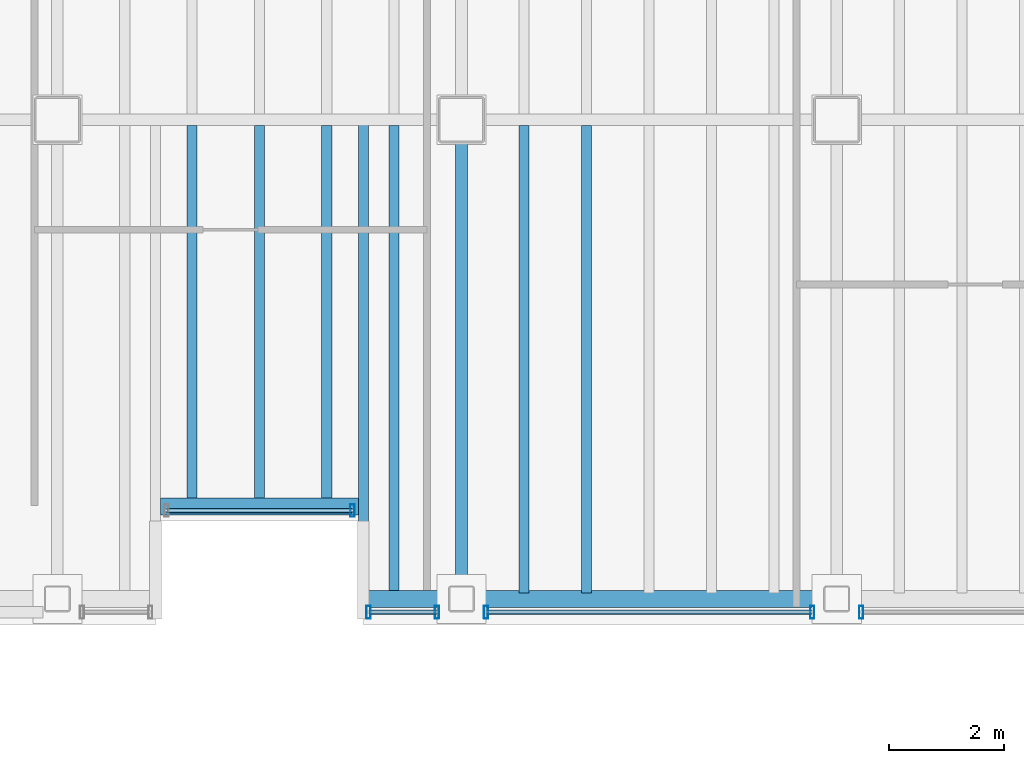
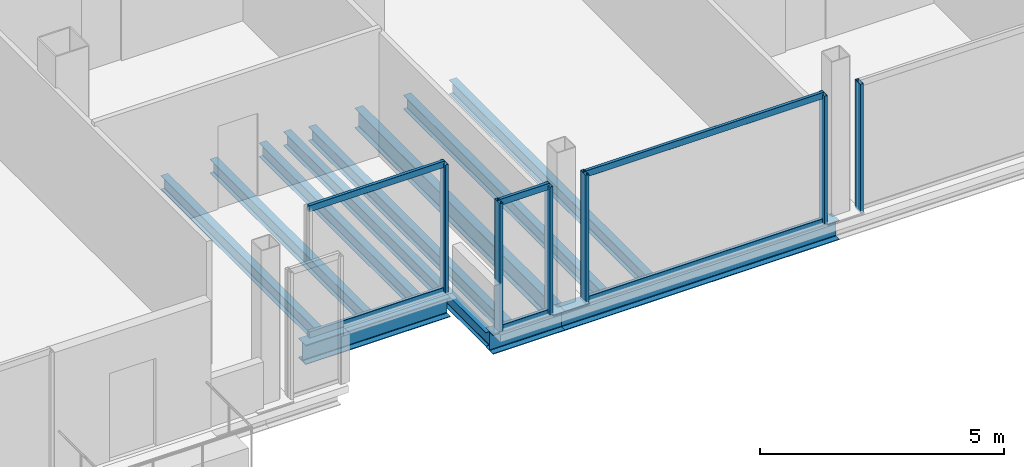
# One storey, part 4 of 15: 12 members, 11 beams, 4 elements without a shape of their own.
"""IFC4 building model written with IfcOpenShell, lengths in metres."""

from ifc_helpers import new_model, si_unit, direction, frame, origin, origin_2d, place, context, subcontext, project, spatial, hollow_rectangle, i_section, extrude, material, material_profile, profile_set, type_object, element, aggregate, save


model = new_model("IFC4")

# Units and contexts
model_context = context("Model", 3, precision=1e-05, world=origin(), true_north=direction((0.0, 1.0)))
body_context = subcontext(model_context, "Body", "Model", "MODEL_VIEW")
ifc_project = project(units=[si_unit("LENGTHUNIT", "METRE"), si_unit("AREAUNIT", "SQUARE_METRE"), si_unit("VOLUMEUNIT", "CUBIC_METRE"), si_unit("PLANEANGLEUNIT", "RADIAN"), si_unit("MASSUNIT", "GRAM", prefix="KILO")], contexts=[model_context])

# Site, building, storey
site_placement = place(None, origin())
site = spatial("IfcSite", under=ifc_project, at=site_placement, CompositionType="ELEMENT")
building_placement = place(site_placement, origin())
building = spatial("IfcBuilding", under=site, at=building_placement, Name="Noeulbin Bourse Tower", CompositionType="ELEMENT")
storey_placement = place(building_placement, frame((0.0, 0.0, 218.89990234375)))
storey = spatial("IfcBuildingStorey", under=building, at=storey_placement, Name="L54", CompositionType="ELEMENT", Elevation=218.89990234375)

# Beams
ifc_material_1 = material(Name="Steel S355", Category="steel")
ifc_material_profile_1 = material_profile(ifc_material_1, i_section(OverallWidth=0.199951171875, OverallDepth=0.5, WebThickness=0.010009765625, FlangeThickness=0.01611328125, FilletRadius=0.02001953125, at=origin_2d()), Name="H-500x200x10x16", Category="LoadBearing")
ifc_profile_set_1 = profile_set([ifc_material_profile_1], Name="Steel S355")
beam_type_1 = type_object("IfcBeamType", Name="BM-GRD-500", PredefinedType="USERDEFINED", material=ifc_profile_set_1)
beam_1_placement = place(storey_placement, frame((31.0, 11.699951171875, -0.429931640625), z_axis=(0.0, 1.0, 0.0), x_axis=(-1.0, 0.0, 0.0)))
element("IfcBeam", 1, at=beam_1_placement, inside=storey, type_object=beam_type_1, Name="Tower Primary Girder NS L54-3.1", ObjectType="GIRDER", PredefinedType="USERDEFINED", context=body_context, shape_type="SweptSolid", body=[
    extrude(i_section(OverallWidth=0.199951171875, OverallDepth=0.5, WebThickness=0.010009765625, FlangeThickness=0.01611328125, FilletRadius=0.02001953125, at=origin_2d()), origin(), (0.0, 0.0, 1.0), 8.300048828125),
])
ifc_material_profile_2 = material_profile(ifc_material_1, i_section(OverallWidth=0.175048828125, OverallDepth=0.35009765625, WebThickness=0.007080078125, FlangeThickness=0.010986328125, FilletRadius=0.013916015625, at=origin_2d()), Name="H-350x175x7x11", Category="LoadBearing")
ifc_profile_set_2 = profile_set([ifc_material_profile_2], Name="Steel S355")
beam_type_2 = type_object("IfcBeamType", Name="BM-JST-350", PredefinedType="JOIST", material=ifc_profile_set_2)
beam_2_placement = place(storey_placement, frame((29.300048828125, 11.699951171875, -0.35498046875), z_axis=(0.0, 1.0, 0.0), x_axis=(-1.0, 0.0, 0.0)))
element("IfcBeam", 2, at=beam_2_placement, inside=storey, type_object=beam_type_2, Name="BM-L54-SRT-E", PredefinedType="JOIST", context=body_context, shape_type="SweptSolid", body=[
    extrude(i_section(OverallWidth=0.175048828125, OverallDepth=0.35009765625, WebThickness=0.007080078125, FlangeThickness=0.010986328125, FilletRadius=0.013916015625, at=origin_2d()), origin(), (0.0, 0.0, 1.0), 8.300048828125),
])
for number, where, z_axis, x_axis, name in (
    (3, (26.333251953125, 13.39990234375, -0.35498046875), (0.0, 1.0, 0.0), (-1.0, 0.0, 0.0), "Tower Composite Joist L54-19"),
    (4, (27.5, 13.39990234375, -0.35498046875), (0.0, 1.0, 0.0), (-1.0, 0.0, 0.0), "Tower Composite Joist L54-21"),
    (5, (28.666748046875, 13.39990234375, -0.35498046875), (0.0, 1.0, 0.0), (-1.0, 0.0, 0.0), "Tower Composite Joist L54-23"),
):
    element("IfcBeam", number, at=place(storey_placement, frame(where, z_axis=z_axis, x_axis=x_axis)), inside=storey, type_object=beam_type_2, Name=name, PredefinedType="JOIST", context=body_context, shape_type="SweptSolid", body=[
        extrude(i_section(OverallWidth=0.175048828125, OverallDepth=0.35009765625, WebThickness=0.007080078125, FlangeThickness=0.010986328125, FilletRadius=0.013916015625, at=origin_2d()), origin(), (0.0, 0.0, 1.0), 6.5),
    ])
for number, where, z_axis, x_axis, name in (
    (6, (29.833251953125, 11.800048828125, -0.35498046875), (0.0, 1.0, 0.0), (-1.0, 0.0, 0.0), "Tower Composite Joist L54-25"),
    (7, (32.083251953125, 11.800048828125, -0.35498046875), (0.0, 1.0, 0.0), (-1.0, 0.0, 0.0), "Tower Composite Joist L54-27"),
    (8, (33.166748046875, 11.800048828125, -0.35498046875), (0.0, 1.0, 0.0), (-1.0, 0.0, 0.0), "Tower Composite Joist L54-29"),
):
    element("IfcBeam", number, at=place(storey_placement, frame(where, z_axis=z_axis, x_axis=x_axis)), inside=storey, type_object=beam_type_2, Name=name, PredefinedType="JOIST", context=body_context, shape_type="SweptSolid", body=[
        extrude(i_section(OverallWidth=0.175048828125, OverallDepth=0.35009765625, WebThickness=0.007080078125, FlangeThickness=0.010986328125, FilletRadius=0.013916015625, at=origin_2d()), origin(), (0.0, 0.0, 1.0), 8.099853515625),
    ])
ifc_material_profile_3 = material_profile(ifc_material_1, i_section(OverallWidth=0.300048828125, OverallDepth=0.488037109375, WebThickness=0.010986328125, FlangeThickness=0.01806640625, FilletRadius=0.02197265625, at=origin_2d()), Name="H-488x300x11x18", Category="LoadBearing")
ifc_profile_set_3 = profile_set([ifc_material_profile_3], Name="Steel S355")
beam_type_3 = type_object("IfcBeamType", Name="BM-SPN-488", PredefinedType="SPANDREL", material=ifc_profile_set_3)
beam_3_placement = place(storey_placement, frame((25.78759765625, 13.300048828125, -0.423828125), z_axis=(1.0, 0.0, 0.0), x_axis=(0.0, 1.0, 0.0)))
element("IfcBeam", 9, at=beam_3_placement, inside=storey, type_object=beam_type_3, Name="South Recess Spandrel L54-2B", PredefinedType="SPANDREL", context=body_context, shape_type="SweptSolid", body=[
    extrude(i_section(OverallWidth=0.300048828125, OverallDepth=0.488037109375, WebThickness=0.010986328125, FlangeThickness=0.01806640625, FilletRadius=0.02197265625, at=origin_2d()), origin(), (0.0, 0.0, 1.0), 3.4248046875),
])
beam_4_placement = place(storey_placement, frame((29.300048828125, 11.699951171875, -0.423828125), z_axis=(1.0, 0.0, 0.0), x_axis=(0.0, 1.0, 0.0)))
element("IfcBeam", 10, at=beam_4_placement, inside=storey, type_object=beam_type_3, Name="South Spandrel L54-2C", PredefinedType="SPANDREL", context=body_context, shape_type="SweptSolid", body=[
    extrude(i_section(OverallWidth=0.300048828125, OverallDepth=0.488037109375, WebThickness=0.010986328125, FlangeThickness=0.01806640625, FilletRadius=0.02197265625, at=origin_2d()), origin(), (0.0, 0.0, 1.0), 1.699951171875),
])
beam_5_placement = place(storey_placement, frame((31.0, 11.699951171875, -0.423828125), z_axis=(1.0, 0.0, 0.0), x_axis=(0.0, 1.0, 0.0)))
element("IfcBeam", 11, at=beam_5_placement, inside=storey, type_object=beam_type_3, Name="South Spandrel L54-3", PredefinedType="SPANDREL", context=body_context, shape_type="SweptSolid", body=[
    extrude(i_section(OverallWidth=0.300048828125, OverallDepth=0.488037109375, WebThickness=0.010986328125, FlangeThickness=0.01806640625, FilletRadius=0.02197265625, at=origin_2d()), origin(), (0.0, 0.0, 1.0), 6.5),
])

# Curtain wall, member
ifc_material_2 = material(Name="High-Selectivity Low-Iron Glazing", Category="glass")
curtain_wall_type = type_object("IfcCurtainWallType", Name="CW-SYS-4", PredefinedType="NOTDEFINED", material=ifc_material_2)
curtain_wall_1_placement = place(storey_placement, origin())
curtain_wall_1 = element("IfcCurtainWall", 12, at=curtain_wall_1_placement, inside=storey, type_object=curtain_wall_type, Name="Unitised Curtain Wall CW-L54-SREC", PredefinedType="NOTDEFINED")
ifc_material_3 = material(Name="Anodised Aluminium 6063-T6", Category="aluminium")
ifc_material_profile_4 = material_profile(ifc_material_3, hollow_rectangle(XDim=0.074951171875, YDim=0.219970703125, WallThickness=0.0048828125, InnerFilletRadius=0.00244140625, OuterFilletRadius=0.0048828125, at=origin_2d()), Name="ALU-MULL-75x220x5", Category="LoadBearing")
ifc_profile_set_4 = profile_set([ifc_material_profile_4], Name="Anodised Aluminium 6063-T6")
member_type_1 = type_object("IfcMemberType", Name="CW-SYS-4-MUL", PredefinedType="MULLION", material=ifc_profile_set_4)
member_1_placement = place(storey_placement, frame((29.110107421875, 13.22998046875, -0.02001953125), z_axis=(0.0, 0.0, 1.0), x_axis=(1.0, 0.0, 0.0)))
member_1 = element("IfcMember", 13, at=member_1_placement, type_object=member_type_1, Name="Curtain Wall Mullion CW-L54-SREC-M01", PredefinedType="MULLION", context=body_context, shape_type="SweptSolid", body=[
    extrude(hollow_rectangle(XDim=0.074951171875, YDim=0.219970703125, WallThickness=0.0048828125, InnerFilletRadius=0.00244140625, OuterFilletRadius=0.0048828125, at=origin_2d()), origin(), (0.0, 0.0, 1.0), 3.22021484375),
])

# Curtain wall, members
curtain_wall_2_placement = place(storey_placement, origin())
curtain_wall_2 = element("IfcCurtainWall", 14, at=curtain_wall_2_placement, inside=storey, type_object=curtain_wall_type, Name="Unitised Curtain Wall CW-L54-S3-S1", PredefinedType="NOTDEFINED")
member_2_placement = place(storey_placement, frame((29.389892578125, 11.469970703125, -0.02001953125), z_axis=(0.0, 0.0, 1.0), x_axis=(1.0, 0.0, 0.0)))
member_2 = element("IfcMember", 15, at=member_2_placement, type_object=member_type_1, Name="Curtain Wall Mullion CW-L54-S3-S1-M00", PredefinedType="MULLION", context=body_context, shape_type="SweptSolid", body=[
    extrude(hollow_rectangle(XDim=0.074951171875, YDim=0.219970703125, WallThickness=0.0048828125, InnerFilletRadius=0.00244140625, OuterFilletRadius=0.0048828125, at=origin_2d()), origin(), (0.0, 0.0, 1.0), 3.22021484375),
])
member_3_placement = place(storey_placement, frame((30.574951171875, 11.469970703125, -0.02001953125), z_axis=(0.0, 0.0, 1.0), x_axis=(1.0, 0.0, 0.0)))
member_3 = element("IfcMember", 16, at=member_3_placement, type_object=member_type_1, Name="Curtain Wall Mullion CW-L54-S3-S1-M01", PredefinedType="MULLION", context=body_context, shape_type="SweptSolid", body=[
    extrude(hollow_rectangle(XDim=0.074951171875, YDim=0.219970703125, WallThickness=0.0048828125, InnerFilletRadius=0.00244140625, OuterFilletRadius=0.0048828125, at=origin_2d()), origin(), (0.0, 0.0, 1.0), 3.22021484375),
])

curtain_wall_3_placement = place(storey_placement, origin())
curtain_wall_3 = element("IfcCurtainWall", 17, at=curtain_wall_3_placement, inside=storey, type_object=curtain_wall_type, Name="Unitised Curtain Wall CW-L54-S3-S2", PredefinedType="NOTDEFINED")
member_4_placement = place(storey_placement, frame((31.425048828125, 11.469970703125, -0.02001953125), z_axis=(0.0, 0.0, 1.0), x_axis=(1.0, 0.0, 0.0)))
member_4 = element("IfcMember", 18, at=member_4_placement, type_object=member_type_1, Name="Curtain Wall Mullion CW-L54-S3-S2-M00", PredefinedType="MULLION", context=body_context, shape_type="SweptSolid", body=[
    extrude(hollow_rectangle(XDim=0.074951171875, YDim=0.219970703125, WallThickness=0.0048828125, InnerFilletRadius=0.00244140625, OuterFilletRadius=0.0048828125, at=origin_2d()), origin(), (0.0, 0.0, 1.0), 3.22021484375),
])
member_5_placement = place(storey_placement, frame((37.074951171875, 11.469970703125, -0.02001953125), z_axis=(0.0, 0.0, 1.0), x_axis=(1.0, 0.0, 0.0)))
member_5 = element("IfcMember", 19, at=member_5_placement, type_object=member_type_1, Name="Curtain Wall Mullion CW-L54-S3-S2-M01", PredefinedType="MULLION", context=body_context, shape_type="SweptSolid", body=[
    extrude(hollow_rectangle(XDim=0.074951171875, YDim=0.219970703125, WallThickness=0.0048828125, InnerFilletRadius=0.00244140625, OuterFilletRadius=0.0048828125, at=origin_2d()), origin(), (0.0, 0.0, 1.0), 3.22021484375),
])

# Curtain wall, member
curtain_wall_4_placement = place(storey_placement, origin())
curtain_wall_4 = element("IfcCurtainWall", 20, at=curtain_wall_4_placement, inside=storey, type_object=curtain_wall_type, Name="Unitised Curtain Wall CW-L54-S3-S3", PredefinedType="NOTDEFINED")
member_6_placement = place(storey_placement, frame((37.925048828125, 11.469970703125, -0.02001953125), z_axis=(0.0, 0.0, 1.0), x_axis=(1.0, 0.0, 0.0)))
member_6 = element("IfcMember", 21, at=member_6_placement, type_object=member_type_1, Name="Curtain Wall Mullion CW-L54-S3-S3-M00", PredefinedType="MULLION", context=body_context, shape_type="SweptSolid", body=[
    extrude(hollow_rectangle(XDim=0.074951171875, YDim=0.219970703125, WallThickness=0.0048828125, InnerFilletRadius=0.00244140625, OuterFilletRadius=0.0048828125, at=origin_2d()), origin(), (0.0, 0.0, 1.0), 3.22021484375),
])
aggregate(curtain_wall_4, [member_6])

# Member
ifc_material_profile_5 = material_profile(ifc_material_3, hollow_rectangle(XDim=0.074951171875, YDim=0.159912109375, WallThickness=0.0048828125, InnerFilletRadius=0.00244140625, OuterFilletRadius=0.0048828125, at=origin_2d()), Name="ALU-TRAN-75x160x5", Category="LoadBearing")
ifc_profile_set_5 = profile_set([ifc_material_profile_5], Name="Anodised Aluminium 6063-T6")
member_type_2 = type_object("IfcMemberType", Name="CW-SYS-4-TRN", PredefinedType="USERDEFINED", material=ifc_profile_set_5)
member_7_placement = place(storey_placement, frame((25.89990234375, 13.22998046875, 0.010009765625), z_axis=(1.0, 0.0, 0.0), x_axis=(0.0, 1.0, 0.0)))
member_7 = element("IfcMember", 22, at=member_7_placement, type_object=member_type_2, Name="Curtain Wall Transom CW-L54-SREC-T00", ObjectType="TRANSOM", PredefinedType="USERDEFINED", context=body_context, shape_type="SweptSolid", body=[
    extrude(hollow_rectangle(XDim=0.074951171875, YDim=0.159912109375, WallThickness=0.0048828125, InnerFilletRadius=0.00244140625, OuterFilletRadius=0.0048828125, at=origin_2d()), origin(), (0.0, 0.0, 1.0), 3.2001953125),
])

member_8_placement = place(storey_placement, frame((25.89990234375, 13.22998046875, 3.170166015625), z_axis=(1.0, 0.0, 0.0), x_axis=(0.0, 1.0, 0.0)))
member_8 = element("IfcMember", 23, at=member_8_placement, type_object=member_type_2, Name="Curtain Wall Transom CW-L54-SREC-T01", ObjectType="TRANSOM", PredefinedType="USERDEFINED", context=body_context, shape_type="SweptSolid", body=[
    extrude(hollow_rectangle(XDim=0.074951171875, YDim=0.159912109375, WallThickness=0.0048828125, InnerFilletRadius=0.00244140625, OuterFilletRadius=0.0048828125, at=origin_2d()), origin(), (0.0, 0.0, 1.0), 3.2001953125),
])

aggregate(curtain_wall_1, [member_1, member_7, member_8])

member_9_placement = place(storey_placement, frame((29.39990234375, 11.469970703125, 0.010009765625), z_axis=(1.0, 0.0, 0.0), x_axis=(0.0, 1.0, 0.0)))
member_9 = element("IfcMember", 24, at=member_9_placement, type_object=member_type_2, Name="Curtain Wall Transom CW-L54-S3-S1-T00", ObjectType="TRANSOM", PredefinedType="USERDEFINED", context=body_context, shape_type="SweptSolid", body=[
    extrude(hollow_rectangle(XDim=0.074951171875, YDim=0.159912109375, WallThickness=0.0048828125, InnerFilletRadius=0.00244140625, OuterFilletRadius=0.0048828125, at=origin_2d()), origin(), (0.0, 0.0, 1.0), 1.1650390625),
])

member_10_placement = place(storey_placement, frame((29.39990234375, 11.469970703125, 3.170166015625), z_axis=(1.0, 0.0, 0.0), x_axis=(0.0, 1.0, 0.0)))
member_10 = element("IfcMember", 25, at=member_10_placement, type_object=member_type_2, Name="Curtain Wall Transom CW-L54-S3-S1-T01", ObjectType="TRANSOM", PredefinedType="USERDEFINED", context=body_context, shape_type="SweptSolid", body=[
    extrude(hollow_rectangle(XDim=0.074951171875, YDim=0.159912109375, WallThickness=0.0048828125, InnerFilletRadius=0.00244140625, OuterFilletRadius=0.0048828125, at=origin_2d()), origin(), (0.0, 0.0, 1.0), 1.1650390625),
])

aggregate(curtain_wall_2, [member_2, member_3, member_9, member_10])

member_11_placement = place(storey_placement, frame((31.43505859375, 11.469970703125, 0.010009765625), z_axis=(1.0, 0.0, 0.0), x_axis=(0.0, 1.0, 0.0)))
member_11 = element("IfcMember", 26, at=member_11_placement, type_object=member_type_2, Name="Curtain Wall Transom CW-L54-S3-S2-T00", ObjectType="TRANSOM", PredefinedType="USERDEFINED", context=body_context, shape_type="SweptSolid", body=[
    extrude(hollow_rectangle(XDim=0.074951171875, YDim=0.159912109375, WallThickness=0.0048828125, InnerFilletRadius=0.00244140625, OuterFilletRadius=0.0048828125, at=origin_2d()), origin(), (0.0, 0.0, 1.0), 5.6298828125),
])

member_12_placement = place(storey_placement, frame((31.43505859375, 11.469970703125, 3.170166015625), z_axis=(1.0, 0.0, 0.0), x_axis=(0.0, 1.0, 0.0)))
member_12 = element("IfcMember", 27, at=member_12_placement, type_object=member_type_2, Name="Curtain Wall Transom CW-L54-S3-S2-T01", ObjectType="TRANSOM", PredefinedType="USERDEFINED", context=body_context, shape_type="SweptSolid", body=[
    extrude(hollow_rectangle(XDim=0.074951171875, YDim=0.159912109375, WallThickness=0.0048828125, InnerFilletRadius=0.00244140625, OuterFilletRadius=0.0048828125, at=origin_2d()), origin(), (0.0, 0.0, 1.0), 5.6298828125),
])

aggregate(curtain_wall_3, [member_4, member_5, member_11, member_12])

save(model, "model.ifc")
